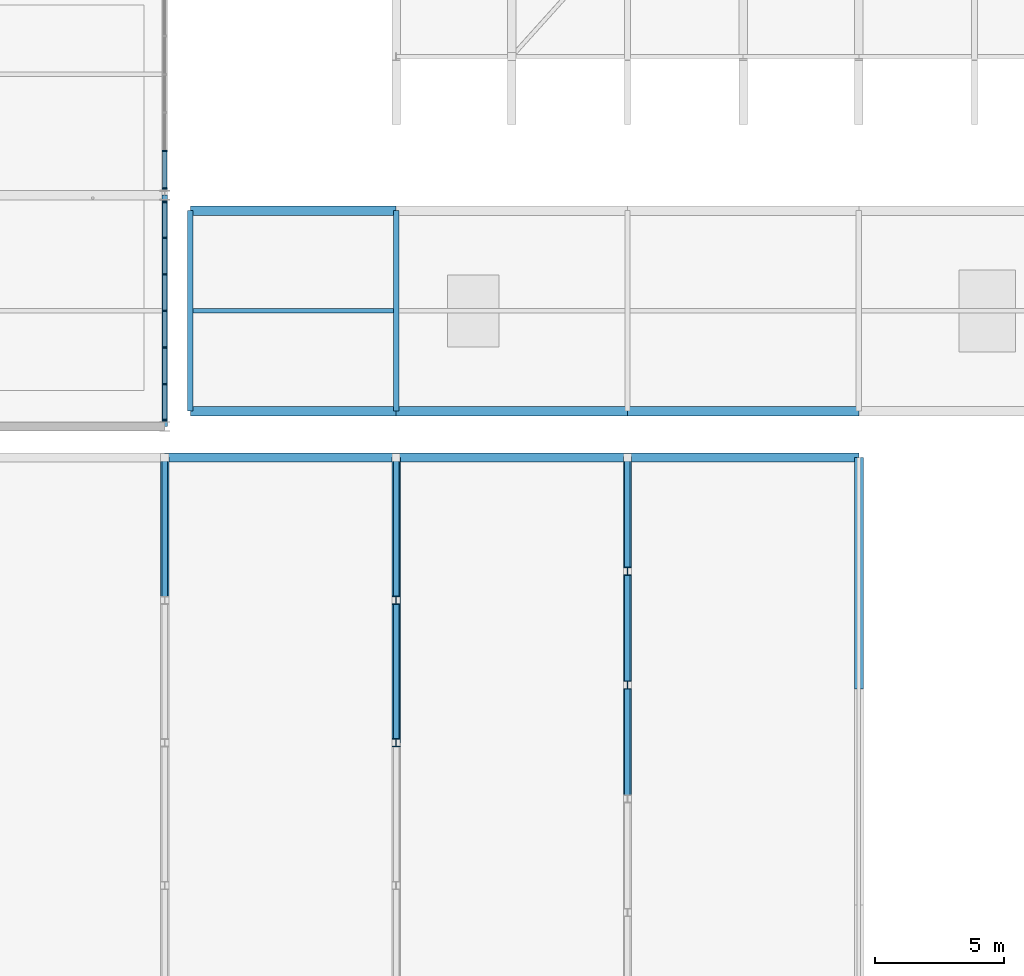
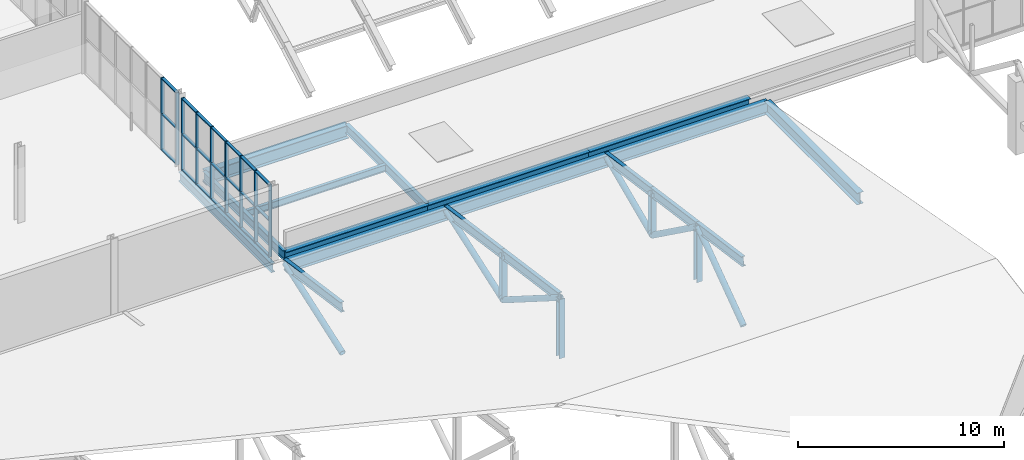
# One storey, part 13 of 103: 46 members, 12 beams, 2 elements without a shape of their own.
"""IFC4 building model written with IfcOpenShell, lengths in metres."""

from ifc_helpers import new_model, si_unit, direction, frame, origin, origin_2d, place, context, subcontext, project, spatial, rectangle, hollow_circle, i_section, extrude, material, layer, layer_set, material_profile, profile_set, type_object, element, aggregate, save


model = new_model("IFC4")

# Units and contexts
model_context = context("Model", 3, precision=1e-05, world=origin(), true_north=direction((0.0, 1.0)))
body_context = subcontext(model_context, "Body", "Model", "MODEL_VIEW")
ifc_project = project(units=[si_unit("LENGTHUNIT", "METRE"), si_unit("AREAUNIT", "SQUARE_METRE"), si_unit("VOLUMEUNIT", "CUBIC_METRE"), si_unit("PLANEANGLEUNIT", "RADIAN"), si_unit("MASSUNIT", "GRAM", prefix="KILO")], contexts=[model_context])

# Site, building, storey
site_placement = place(None, origin())
site = spatial("IfcSite", under=ifc_project, at=site_placement, CompositionType="ELEMENT")
building_placement = place(site_placement, origin())
building = spatial("IfcBuilding", under=site, at=building_placement, Name="Cazmaro Siding Exhibition Halls", CompositionType="ELEMENT")
storey_placement = place(building_placement, frame((0.0, 0.0, 16.5)))
storey = spatial("IfcBuildingStorey", under=building, at=storey_placement, Name="L03", CompositionType="ELEMENT", Elevation=16.5)

# Beams
ifc_material_1 = material(Name="Steel ASTM A992 Grade 50", Category="steel")
ifc_material_profile_1 = material_profile(ifc_material_1, i_section(OverallWidth=0.214111328125, OverallDepth=0.549072265625, WebThickness=0.014892578125, FlangeThickness=0.02392578125, at=origin_2d()), Name="W21X93")
ifc_profile_set_1 = profile_set([ifc_material_profile_1], Name="Steel ASTM A992 Grade 50")
beam_type_1 = type_object("IfcBeamType", Name="B-01", PredefinedType="BEAM", material=ifc_profile_set_1)
beam_1_placement = place(storey_placement, frame((36.0, 54.60009765625, -0.493896484375), z_axis=(0.0, 1.0, 0.0), x_axis=(-1.0, 0.0, 0.0)))
element("IfcBeam", 1, at=beam_1_placement, inside=storey, type_object=beam_type_1, Name="Beam B-01 BM-2270", PredefinedType="BEAM", context=body_context, shape_type="SweptSolid", body=[
    extrude(i_section(OverallWidth=0.214111328125, OverallDepth=0.549072265625, WebThickness=0.014892578125, FlangeThickness=0.02392578125, at=origin_2d()), origin(), (0.0, 0.0, 1.0), 9.0),
])
ifc_material_2 = material(Name="Steel ASTM A992 Grade 50", Category="steel")
ifc_material_profile_2 = material_profile(ifc_material_2, i_section(OverallWidth=0.2099609375, OverallDepth=0.535888671875, WebThickness=0.010986328125, FlangeThickness=0.01708984375, at=origin_2d()), Name="W21X68")
ifc_profile_set_2 = profile_set([ifc_material_profile_2], Name="Steel ASTM A992 Grade 50")
beam_type_2 = type_object("IfcBeamType", Name="B-02", PredefinedType="BEAM", material=ifc_profile_set_2)
for number, where, z_axis, x_axis, name in (
    (2, (37.0, 55.199951171875, -0.443115234375), (0.0, 1.0, 0.0), (-1.0, 0.0, 0.0), "Beam B-02 BM-1686"),
    (3, (45.0, 55.199951171875, -0.443115234375), (0.0, 1.0, 0.0), (-1.0, 0.0, 0.0), "Beam B-02 BM-1689"),
):
    element("IfcBeam", number, at=place(storey_placement, frame(where, z_axis=z_axis, x_axis=x_axis)), inside=storey, type_object=beam_type_2, Name=name, PredefinedType="BEAM", context=body_context, shape_type="SweptSolid", body=[
        extrude(i_section(OverallWidth=0.2099609375, OverallDepth=0.535888671875, WebThickness=0.010986328125, FlangeThickness=0.01708984375, at=origin_2d()), origin(), (0.0, 0.0, 1.0), 7.800048828125),
    ])

# Curtain wall, members
ifc_material_3 = material(Name="Anodized Bronze Aluminum and Solar-Control Low-E Glazing", Category="aluminium")
ifc_layer = layer(ifc_material_3, 0.179931640625)
ifc_layer_set = layer_set([ifc_layer], Name="Anodized Bronze Aluminum and Solar-Control Low-E Glazing")
curtain_wall_type = type_object("IfcCurtainWallType", Name="CWS-01", PredefinedType="USERDEFINED", material=ifc_layer_set)
curtain_wall_1_placement = place(storey_placement, origin())
curtain_wall_1 = element("IfcCurtainWall", 4, at=curtain_wall_1_placement, inside=storey, type_object=curtain_wall_type, Name="Glazed Curtain Wall CWS-01 CW-247", ObjectType="GLAZED CURTAIN WALL", PredefinedType="USERDEFINED")
ifc_material_4 = material(Name="Anodized Bronze Extruded Aluminum", Category="aluminium")
ifc_material_profile_3 = material_profile(ifc_material_4, rectangle(XDim=0.179931640625, YDim=0.06005859375, at=origin_2d()), Name="CWM-01")
ifc_profile_set_3 = profile_set([ifc_material_profile_3], Name="Anodized Bronze Extruded Aluminum")
member_type_1 = type_object("IfcMemberType", Name="CWM-01", PredefinedType="MULLION", material=ifc_profile_set_3)
member_1_placement = place(storey_placement, frame((36.0, 54.863037109375, 0.0), z_axis=(0.0, 0.0, 1.0), x_axis=(-1.0, 0.0, 0.0)))
member_1 = element("IfcMember", 5, at=member_1_placement, type_object=member_type_1, Name="CWS-01 mullion 1", PredefinedType="MULLION", context=body_context, shape_type="SweptSolid", body=[
    extrude(rectangle(XDim=0.179931640625, YDim=0.06005859375, at=origin_2d()), origin(), (0.0, 0.0, 1.0), 4.280029296875),
])
member_2_placement = place(storey_placement, frame((36.0, 56.25537109375, 0.0), z_axis=(0.0, 0.0, 1.0), x_axis=(-1.0, 0.0, 0.0)))
member_2 = element("IfcMember", 6, at=member_2_placement, type_object=member_type_1, Name="CWS-01 mullion 2", PredefinedType="MULLION", context=body_context, shape_type="SweptSolid", body=[
    extrude(rectangle(XDim=0.179931640625, YDim=0.06005859375, at=origin_2d()), origin(), (0.0, 0.0, 1.0), 4.280029296875),
])
member_3_placement = place(storey_placement, frame((36.0, 57.677734375, 0.0), z_axis=(0.0, 0.0, 1.0), x_axis=(-1.0, 0.0, 0.0)))
member_3 = element("IfcMember", 7, at=member_3_placement, type_object=member_type_1, Name="CWS-01 mullion 3", PredefinedType="MULLION", context=body_context, shape_type="SweptSolid", body=[
    extrude(rectangle(XDim=0.179931640625, YDim=0.06005859375, at=origin_2d()), origin(), (0.0, 0.0, 1.0), 4.280029296875),
])
member_4_placement = place(storey_placement, frame((36.0, 59.10009765625, 0.0), z_axis=(0.0, 0.0, 1.0), x_axis=(-1.0, 0.0, 0.0)))
member_4 = element("IfcMember", 8, at=member_4_placement, type_object=member_type_1, Name="CWS-01 mullion 4", PredefinedType="MULLION", context=body_context, shape_type="SweptSolid", body=[
    extrude(rectangle(XDim=0.179931640625, YDim=0.06005859375, at=origin_2d()), origin(), (0.0, 0.0, 1.0), 4.280029296875),
])
member_5_placement = place(storey_placement, frame((36.0, 60.522216796875, 0.0), z_axis=(0.0, 0.0, 1.0), x_axis=(-1.0, 0.0, 0.0)))
member_5 = element("IfcMember", 9, at=member_5_placement, type_object=member_type_1, Name="CWS-01 mullion 5", PredefinedType="MULLION", context=body_context, shape_type="SweptSolid", body=[
    extrude(rectangle(XDim=0.179931640625, YDim=0.06005859375, at=origin_2d()), origin(), (0.0, 0.0, 1.0), 4.280029296875),
])
member_6_placement = place(storey_placement, frame((36.0, 61.944580078125, 0.0), z_axis=(0.0, 0.0, 1.0), x_axis=(-1.0, 0.0, 0.0)))
member_6 = element("IfcMember", 10, at=member_6_placement, type_object=member_type_1, Name="CWS-01 mullion 6", PredefinedType="MULLION", context=body_context, shape_type="SweptSolid", body=[
    extrude(rectangle(XDim=0.179931640625, YDim=0.06005859375, at=origin_2d()), origin(), (0.0, 0.0, 1.0), 4.280029296875),
])
member_7_placement = place(storey_placement, frame((36.0, 63.3369140625, 0.0), z_axis=(0.0, 0.0, 1.0), x_axis=(-1.0, 0.0, 0.0)))
member_7 = element("IfcMember", 11, at=member_7_placement, type_object=member_type_1, Name="CWS-01 mullion 7", PredefinedType="MULLION", context=body_context, shape_type="SweptSolid", body=[
    extrude(rectangle(XDim=0.179931640625, YDim=0.06005859375, at=origin_2d()), origin(), (0.0, 0.0, 1.0), 4.280029296875),
])

curtain_wall_2_placement = place(storey_placement, origin())
curtain_wall_2 = element("IfcCurtainWall", 12, at=curtain_wall_2_placement, inside=storey, type_object=curtain_wall_type, Name="Glazed Curtain Wall CWS-01 CW-249", ObjectType="GLAZED CURTAIN WALL", PredefinedType="USERDEFINED")
member_8_placement = place(storey_placement, frame((36.0, 63.863037109375, 0.0), z_axis=(0.0, 0.0, 1.0), x_axis=(-1.0, 0.0, 0.0)))
member_8 = element("IfcMember", 13, at=member_8_placement, type_object=member_type_1, Name="CWS-01 mullion 1", PredefinedType="MULLION", context=body_context, shape_type="SweptSolid", body=[
    extrude(rectangle(XDim=0.179931640625, YDim=0.06005859375, at=origin_2d()), origin(), (0.0, 0.0, 1.0), 4.280029296875),
])
member_9_placement = place(storey_placement, frame((36.0, 65.322021484375, 0.0), z_axis=(0.0, 0.0, 1.0), x_axis=(-1.0, 0.0, 0.0)))
member_9 = element("IfcMember", 14, at=member_9_placement, type_object=member_type_1, Name="CWS-01 mullion 2", PredefinedType="MULLION", context=body_context, shape_type="SweptSolid", body=[
    extrude(rectangle(XDim=0.179931640625, YDim=0.06005859375, at=origin_2d()), origin(), (0.0, 0.0, 1.0), 4.280029296875),
])

# Member
ifc_material_5 = material(Name="Anodized Bronze Extruded Aluminum", Category="aluminium")
ifc_material_profile_4 = material_profile(ifc_material_5, rectangle(XDim=0.159912109375, YDim=0.06005859375, at=origin_2d()), Name="CWT-01")
ifc_profile_set_4 = profile_set([ifc_material_profile_4], Name="Anodized Bronze Extruded Aluminum")
member_type_2 = type_object("IfcMemberType", Name="CWT-01", PredefinedType="MULLION", material=ifc_profile_set_4)
member_10_placement = place(storey_placement, frame((36.0, 54.89306640625, 0.030029296875), z_axis=(0.0, 1.0, 0.0), x_axis=(-1.0, 0.0, 0.0)))
member_10 = element("IfcMember", 15, at=member_10_placement, type_object=member_type_2, Name="CWS-01 transom 1.1", ObjectType="TRANSOM", PredefinedType="USERDEFINED", context=body_context, shape_type="SweptSolid", body=[
    extrude(rectangle(XDim=0.159912109375, YDim=0.06005859375, at=origin_2d()), origin(), (0.0, 0.0, 1.0), 1.332275390625),
])

member_11_placement = place(storey_placement, frame((36.0, 54.89306640625, 2.139892578125), z_axis=(0.0, 1.0, 0.0), x_axis=(-1.0, 0.0, 0.0)))
member_11 = element("IfcMember", 16, at=member_11_placement, type_object=member_type_2, Name="CWS-01 transom 1.2", ObjectType="TRANSOM", PredefinedType="USERDEFINED", context=body_context, shape_type="SweptSolid", body=[
    extrude(rectangle(XDim=0.159912109375, YDim=0.06005859375, at=origin_2d()), origin(), (0.0, 0.0, 1.0), 1.332275390625),
])

member_12_placement = place(storey_placement, frame((36.0, 54.89306640625, 4.25), z_axis=(0.0, 1.0, 0.0), x_axis=(-1.0, 0.0, 0.0)))
member_12 = element("IfcMember", 17, at=member_12_placement, type_object=member_type_2, Name="CWS-01 transom 1.3", ObjectType="TRANSOM", PredefinedType="USERDEFINED", context=body_context, shape_type="SweptSolid", body=[
    extrude(rectangle(XDim=0.159912109375, YDim=0.06005859375, at=origin_2d()), origin(), (0.0, 0.0, 1.0), 1.332275390625),
])

member_13_placement = place(storey_placement, frame((36.0, 56.285400390625, 0.030029296875), z_axis=(0.0, 1.0, 0.0), x_axis=(-1.0, 0.0, 0.0)))
member_13 = element("IfcMember", 18, at=member_13_placement, type_object=member_type_2, Name="CWS-01 transom 2.1", ObjectType="TRANSOM", PredefinedType="USERDEFINED", context=body_context, shape_type="SweptSolid", body=[
    extrude(rectangle(XDim=0.159912109375, YDim=0.06005859375, at=origin_2d()), origin(), (0.0, 0.0, 1.0), 1.3623046875),
])

member_14_placement = place(storey_placement, frame((36.0, 56.285400390625, 2.139892578125), z_axis=(0.0, 1.0, 0.0), x_axis=(-1.0, 0.0, 0.0)))
member_14 = element("IfcMember", 19, at=member_14_placement, type_object=member_type_2, Name="CWS-01 transom 2.2", ObjectType="TRANSOM", PredefinedType="USERDEFINED", context=body_context, shape_type="SweptSolid", body=[
    extrude(rectangle(XDim=0.159912109375, YDim=0.06005859375, at=origin_2d()), origin(), (0.0, 0.0, 1.0), 1.3623046875),
])

member_15_placement = place(storey_placement, frame((36.0, 56.285400390625, 4.25), z_axis=(0.0, 1.0, 0.0), x_axis=(-1.0, 0.0, 0.0)))
member_15 = element("IfcMember", 20, at=member_15_placement, type_object=member_type_2, Name="CWS-01 transom 2.3", ObjectType="TRANSOM", PredefinedType="USERDEFINED", context=body_context, shape_type="SweptSolid", body=[
    extrude(rectangle(XDim=0.159912109375, YDim=0.06005859375, at=origin_2d()), origin(), (0.0, 0.0, 1.0), 1.3623046875),
])

member_16_placement = place(storey_placement, frame((36.0, 57.707763671875, 0.030029296875), z_axis=(0.0, 1.0, 0.0), x_axis=(-1.0, 0.0, 0.0)))
member_16 = element("IfcMember", 21, at=member_16_placement, type_object=member_type_2, Name="CWS-01 transom 3.1", ObjectType="TRANSOM", PredefinedType="USERDEFINED", context=body_context, shape_type="SweptSolid", body=[
    extrude(rectangle(XDim=0.159912109375, YDim=0.06005859375, at=origin_2d()), origin(), (0.0, 0.0, 1.0), 1.3623046875),
])

member_17_placement = place(storey_placement, frame((36.0, 57.707763671875, 2.139892578125), z_axis=(0.0, 1.0, 0.0), x_axis=(-1.0, 0.0, 0.0)))
member_17 = element("IfcMember", 22, at=member_17_placement, type_object=member_type_2, Name="CWS-01 transom 3.2", ObjectType="TRANSOM", PredefinedType="USERDEFINED", context=body_context, shape_type="SweptSolid", body=[
    extrude(rectangle(XDim=0.159912109375, YDim=0.06005859375, at=origin_2d()), origin(), (0.0, 0.0, 1.0), 1.3623046875),
])

member_18_placement = place(storey_placement, frame((36.0, 57.707763671875, 4.25), z_axis=(0.0, 1.0, 0.0), x_axis=(-1.0, 0.0, 0.0)))
member_18 = element("IfcMember", 23, at=member_18_placement, type_object=member_type_2, Name="CWS-01 transom 3.3", ObjectType="TRANSOM", PredefinedType="USERDEFINED", context=body_context, shape_type="SweptSolid", body=[
    extrude(rectangle(XDim=0.159912109375, YDim=0.06005859375, at=origin_2d()), origin(), (0.0, 0.0, 1.0), 1.3623046875),
])

member_19_placement = place(storey_placement, frame((36.0, 59.1298828125, 0.030029296875), z_axis=(0.0, 1.0, 0.0), x_axis=(-1.0, 0.0, 0.0)))
member_19 = element("IfcMember", 24, at=member_19_placement, type_object=member_type_2, Name="CWS-01 transom 4.1", ObjectType="TRANSOM", PredefinedType="USERDEFINED", context=body_context, shape_type="SweptSolid", body=[
    extrude(rectangle(XDim=0.159912109375, YDim=0.06005859375, at=origin_2d()), origin(), (0.0, 0.0, 1.0), 1.362548828125),
])

member_20_placement = place(storey_placement, frame((36.0, 59.1298828125, 2.139892578125), z_axis=(0.0, 1.0, 0.0), x_axis=(-1.0, 0.0, 0.0)))
member_20 = element("IfcMember", 25, at=member_20_placement, type_object=member_type_2, Name="CWS-01 transom 4.2", ObjectType="TRANSOM", PredefinedType="USERDEFINED", context=body_context, shape_type="SweptSolid", body=[
    extrude(rectangle(XDim=0.159912109375, YDim=0.06005859375, at=origin_2d()), origin(), (0.0, 0.0, 1.0), 1.362548828125),
])

member_21_placement = place(storey_placement, frame((36.0, 59.1298828125, 4.25), z_axis=(0.0, 1.0, 0.0), x_axis=(-1.0, 0.0, 0.0)))
member_21 = element("IfcMember", 26, at=member_21_placement, type_object=member_type_2, Name="CWS-01 transom 4.3", ObjectType="TRANSOM", PredefinedType="USERDEFINED", context=body_context, shape_type="SweptSolid", body=[
    extrude(rectangle(XDim=0.159912109375, YDim=0.06005859375, at=origin_2d()), origin(), (0.0, 0.0, 1.0), 1.362548828125),
])

member_22_placement = place(storey_placement, frame((36.0, 60.55224609375, 0.030029296875), z_axis=(0.0, 1.0, 0.0), x_axis=(-1.0, 0.0, 0.0)))
member_22 = element("IfcMember", 27, at=member_22_placement, type_object=member_type_2, Name="CWS-01 transom 5.1", ObjectType="TRANSOM", PredefinedType="USERDEFINED", context=body_context, shape_type="SweptSolid", body=[
    extrude(rectangle(XDim=0.159912109375, YDim=0.06005859375, at=origin_2d()), origin(), (0.0, 0.0, 1.0), 1.3623046875),
])

member_23_placement = place(storey_placement, frame((36.0, 60.55224609375, 2.139892578125), z_axis=(0.0, 1.0, 0.0), x_axis=(-1.0, 0.0, 0.0)))
member_23 = element("IfcMember", 28, at=member_23_placement, type_object=member_type_2, Name="CWS-01 transom 5.2", ObjectType="TRANSOM", PredefinedType="USERDEFINED", context=body_context, shape_type="SweptSolid", body=[
    extrude(rectangle(XDim=0.159912109375, YDim=0.06005859375, at=origin_2d()), origin(), (0.0, 0.0, 1.0), 1.3623046875),
])

member_24_placement = place(storey_placement, frame((36.0, 60.55224609375, 4.25), z_axis=(0.0, 1.0, 0.0), x_axis=(-1.0, 0.0, 0.0)))
member_24 = element("IfcMember", 29, at=member_24_placement, type_object=member_type_2, Name="CWS-01 transom 5.3", ObjectType="TRANSOM", PredefinedType="USERDEFINED", context=body_context, shape_type="SweptSolid", body=[
    extrude(rectangle(XDim=0.159912109375, YDim=0.06005859375, at=origin_2d()), origin(), (0.0, 0.0, 1.0), 1.3623046875),
])

member_25_placement = place(storey_placement, frame((36.0, 61.974609375, 0.030029296875), z_axis=(0.0, 1.0, 0.0), x_axis=(-1.0, 0.0, 0.0)))
member_25 = element("IfcMember", 30, at=member_25_placement, type_object=member_type_2, Name="CWS-01 transom 6.1", ObjectType="TRANSOM", PredefinedType="USERDEFINED", context=body_context, shape_type="SweptSolid", body=[
    extrude(rectangle(XDim=0.159912109375, YDim=0.06005859375, at=origin_2d()), origin(), (0.0, 0.0, 1.0), 1.332275390625),
])

member_26_placement = place(storey_placement, frame((36.0, 61.974609375, 2.139892578125), z_axis=(0.0, 1.0, 0.0), x_axis=(-1.0, 0.0, 0.0)))
member_26 = element("IfcMember", 31, at=member_26_placement, type_object=member_type_2, Name="CWS-01 transom 6.2", ObjectType="TRANSOM", PredefinedType="USERDEFINED", context=body_context, shape_type="SweptSolid", body=[
    extrude(rectangle(XDim=0.159912109375, YDim=0.06005859375, at=origin_2d()), origin(), (0.0, 0.0, 1.0), 1.332275390625),
])

member_27_placement = place(storey_placement, frame((36.0, 61.974609375, 4.25), z_axis=(0.0, 1.0, 0.0), x_axis=(-1.0, 0.0, 0.0)))
member_27 = element("IfcMember", 32, at=member_27_placement, type_object=member_type_2, Name="CWS-01 transom 6.3", ObjectType="TRANSOM", PredefinedType="USERDEFINED", context=body_context, shape_type="SweptSolid", body=[
    extrude(rectangle(XDim=0.159912109375, YDim=0.06005859375, at=origin_2d()), origin(), (0.0, 0.0, 1.0), 1.332275390625),
])

aggregate(curtain_wall_1, [member_1, member_2, member_3, member_4, member_5, member_6, member_7, member_10, member_11, member_12, member_13, member_14, member_15, member_16, member_17, member_18, member_19, member_20, member_21, member_22, member_23, member_24, member_25, member_26, member_27])

member_28_placement = place(storey_placement, frame((36.0, 63.89306640625, 0.030029296875), z_axis=(0.0, 1.0, 0.0), x_axis=(-1.0, 0.0, 0.0)))
member_28 = element("IfcMember", 33, at=member_28_placement, type_object=member_type_2, Name="CWS-01 transom 1.1", ObjectType="TRANSOM", PredefinedType="USERDEFINED", context=body_context, shape_type="SweptSolid", body=[
    extrude(rectangle(XDim=0.159912109375, YDim=0.06005859375, at=origin_2d()), origin(), (0.0, 0.0, 1.0), 1.39892578125),
])

member_29_placement = place(storey_placement, frame((36.0, 63.89306640625, 2.139892578125), z_axis=(0.0, 1.0, 0.0), x_axis=(-1.0, 0.0, 0.0)))
member_29 = element("IfcMember", 34, at=member_29_placement, type_object=member_type_2, Name="CWS-01 transom 1.2", ObjectType="TRANSOM", PredefinedType="USERDEFINED", context=body_context, shape_type="SweptSolid", body=[
    extrude(rectangle(XDim=0.159912109375, YDim=0.06005859375, at=origin_2d()), origin(), (0.0, 0.0, 1.0), 1.39892578125),
])

member_30_placement = place(storey_placement, frame((36.0, 63.89306640625, 4.25), z_axis=(0.0, 1.0, 0.0), x_axis=(-1.0, 0.0, 0.0)))
member_30 = element("IfcMember", 35, at=member_30_placement, type_object=member_type_2, Name="CWS-01 transom 1.3", ObjectType="TRANSOM", PredefinedType="USERDEFINED", context=body_context, shape_type="SweptSolid", body=[
    extrude(rectangle(XDim=0.159912109375, YDim=0.06005859375, at=origin_2d()), origin(), (0.0, 0.0, 1.0), 1.39892578125),
])

aggregate(curtain_wall_2, [member_8, member_9, member_28, member_29, member_30])

# Beams
ifc_material_6 = material(Name="Steel ASTM A992 Grade 50", Category="steel")
ifc_material_profile_5 = material_profile(ifc_material_6, i_section(OverallWidth=0.381103515625, OverallDepth=0.779052734375, WebThickness=0.01806640625, FlangeThickness=0.030029296875, at=origin_2d()), Name="W30X191")
ifc_profile_set_5 = profile_set([ifc_material_profile_5], Name="Steel ASTM A992 Grade 50")
beam_type_3 = type_object("IfcBeamType", Name="G-04", PredefinedType="USERDEFINED", material=ifc_profile_set_5)
for number, where, z_axis, x_axis, name in (
    (36, (37.0, 55.199951171875, -0.56494140625), (1.0, 0.0, 0.0), (0.0, 1.0, 0.0), "Beam G-04 BM-1573"),
    (37, (37.0, 63.0, -0.56494140625), (1.0, 0.0, 0.0), (0.0, 1.0, 0.0), "Beam G-04 BM-1574"),
):
    element("IfcBeam", number, at=place(storey_placement, frame(where, z_axis=z_axis, x_axis=x_axis)), inside=storey, type_object=beam_type_3, Name=name, ObjectType="GIRDER", PredefinedType="USERDEFINED", context=body_context, shape_type="SweptSolid", body=[
        extrude(i_section(OverallWidth=0.381103515625, OverallDepth=0.779052734375, WebThickness=0.01806640625, FlangeThickness=0.030029296875, at=origin_2d()), origin(), (0.0, 0.0, 1.0), 8.0),
    ])
for number, where, z_axis, x_axis, name in (
    (38, (45.0, 55.199951171875, -0.56494140625), (1.0, 0.0, 0.0), (0.0, 1.0, 0.0), "Beam G-04 BM-1582"),
    (39, (54.0, 55.199951171875, -0.56494140625), (1.0, 0.0, 0.0), (0.0, 1.0, 0.0), "Beam G-04 BM-1589"),
):
    element("IfcBeam", number, at=place(storey_placement, frame(where, z_axis=z_axis, x_axis=x_axis)), inside=storey, type_object=beam_type_3, Name=name, ObjectType="GIRDER", PredefinedType="USERDEFINED", context=body_context, shape_type="SweptSolid", body=[
        extrude(i_section(OverallWidth=0.381103515625, OverallDepth=0.779052734375, WebThickness=0.01806640625, FlangeThickness=0.030029296875, at=origin_2d()), origin(), (0.0, 0.0, 1.0), 9.0),
    ])
ifc_material_7 = material(Name="Steel ASTM A992 Grade 50", Category="steel")
ifc_material_profile_6 = material_profile(ifc_material_7, i_section(OverallWidth=0.35595703125, OverallDepth=0.696044921875, WebThickness=0.014892578125, FlangeThickness=0.02490234375, at=origin_2d()), Name="W27X146")
ifc_profile_set_6 = profile_set([ifc_material_profile_6], Name="Steel ASTM A992 Grade 50")
beam_type_4 = type_object("IfcBeamType", Name="G-05", PredefinedType="USERDEFINED", material=ifc_profile_set_6)
for number, where, z_axis, x_axis, name in (
    (40, (63.0, 44.39990234375, 0.35205078125), (0.0, 1.0, 0.0), (-1.0, 0.0, 0.0), "Beam G-05 BM-1747"),
    (41, (63.0, 53.39990234375, 0.35205078125), (-1.0, 0.0, 0.0), (0.0, -1.0, 0.0), "Beam G-05 BM-1749"),
    (42, (54.0, 53.39990234375, 0.35205078125), (-1.0, 0.0, 0.0), (0.0, -1.0, 0.0), "Beam G-05 BM-1751"),
    (43, (45.0, 53.39990234375, 0.35205078125), (-1.0, 0.0, 0.0), (0.0, -1.0, 0.0), "Beam G-05 BM-1753"),
):
    element("IfcBeam", number, at=place(storey_placement, frame(where, z_axis=z_axis, x_axis=x_axis)), inside=storey, type_object=beam_type_4, Name=name, ObjectType="GIRDER", PredefinedType="USERDEFINED", context=body_context, shape_type="SweptSolid", body=[
        extrude(i_section(OverallWidth=0.35595703125, OverallDepth=0.696044921875, WebThickness=0.014892578125, FlangeThickness=0.02490234375, at=origin_2d()), origin(), (0.0, 0.0, 1.0), 9.0),
    ])
ifc_material_8 = material(Name="Steel ASTM A992 Grade 50", Category="steel")
ifc_material_profile_7 = material_profile(ifc_material_8, i_section(OverallWidth=0.177978515625, OverallDepth=0.406005859375, WebThickness=0.008056640625, FlangeThickness=0.012939453125, at=origin_2d()), Name="W16X40")
ifc_profile_set_7 = profile_set([ifc_material_profile_7], Name="Steel ASTM A992 Grade 50")
beam_type_5 = type_object("IfcBeamType", Name="J-02", PredefinedType="JOIST", material=ifc_profile_set_7)
beam_2_placement = place(storey_placement, frame((37.10498046875, 59.10009765625, -0.3779296875), z_axis=(1.0, 0.0, 0.0), x_axis=(0.0, 1.0, 0.0)))
element("IfcBeam", 44, at=beam_2_placement, inside=storey, type_object=beam_type_5, Name="Beam J-02 BM-1575", PredefinedType="JOIST", context=body_context, shape_type="SweptSolid", body=[
    extrude(i_section(OverallWidth=0.177978515625, OverallDepth=0.406005859375, WebThickness=0.008056640625, FlangeThickness=0.012939453125, at=origin_2d()), origin(), (0.0, 0.0, 1.0), 7.7900390625),
])

# Members
ifc_material_9 = material(Name="Steel ASTM A992 Grade 50", Category="steel")
ifc_material_profile_8 = material_profile(ifc_material_9, i_section(OverallWidth=0.214111328125, OverallDepth=0.549072265625, WebThickness=0.014892578125, FlangeThickness=0.02392578125, at=origin_2d()), Name="W21X93")
ifc_profile_set_8 = profile_set([ifc_material_profile_8], Name="Steel ASTM A992 Grade 50")
member_type_3 = type_object("IfcMemberType", Name="TC-04", PredefinedType="CHORD", material=ifc_profile_set_8)
member_31_placement = place(storey_placement, frame((36.0, 47.85009765625, 1.280029296875), z_axis=(0.0, 0.990266713375, -0.139182744555), x_axis=(-1.0, 0.0, 0.0)))
element("IfcMember", 45, at=member_31_placement, inside=storey, type_object=member_type_3, Name="Congress folded roof top chord TC-04 MEM-3358", PredefinedType="CHORD", context=body_context, shape_type="SweptSolid", body=[
    extrude(i_section(OverallWidth=0.214111328125, OverallDepth=0.549072265625, WebThickness=0.014892578125, FlangeThickness=0.02392578125, at=origin_2d()), origin(), (0.0, 0.0, 1.0), 5.604248046875),
])
member_32_placement = place(storey_placement, frame((45.0, 42.300048828125, 2.06005859375), z_axis=(0.0, 0.990267557209, -0.139176740654), x_axis=(-1.0, 0.0, 0.0)))
element("IfcMember", 46, at=member_32_placement, inside=storey, type_object=member_type_3, Name="Congress folded roof top chord TC-04 MEM-3386", PredefinedType="CHORD", context=body_context, shape_type="SweptSolid", body=[
    extrude(i_section(OverallWidth=0.214111328125, OverallDepth=0.549072265625, WebThickness=0.014892578125, FlangeThickness=0.02392578125, at=origin_2d()), origin(), (0.0, 0.0, 1.0), 5.6044921875),
])
member_33_placement = place(storey_placement, frame((45.0, 47.85009765625, 1.280029296875), z_axis=(0.0, 0.990266713375, -0.139182744555), x_axis=(-1.0, 0.0, 0.0)))
element("IfcMember", 47, at=member_33_placement, inside=storey, type_object=member_type_3, Name="Congress folded roof top chord TC-04 MEM-3389", PredefinedType="CHORD", context=body_context, shape_type="SweptSolid", body=[
    extrude(i_section(OverallWidth=0.214111328125, OverallDepth=0.549072265625, WebThickness=0.014892578125, FlangeThickness=0.02392578125, at=origin_2d()), origin(), (0.0, 0.0, 1.0), 5.604248046875),
])
for number, where, z_axis, x_axis, name in (
    (48, (54.0, 40.125, 2.365966796875), (0.0, 0.990262817008, -0.139210463875), (-1.0, 0.0, 0.0), "Congress folded roof top chord TC-04 MEM-3414"),
    (49, (54.0, 44.550048828125, 1.743896484375), (0.0, 0.990270347347, -0.13915688688), (-1.0, 0.0, 0.0), "Congress folded roof top chord TC-04 MEM-3417"),
):
    element("IfcMember", number, at=place(storey_placement, frame(where, z_axis=z_axis, x_axis=x_axis)), inside=storey, type_object=member_type_3, Name=name, PredefinedType="CHORD", context=body_context, shape_type="SweptSolid", body=[
        extrude(i_section(OverallWidth=0.214111328125, OverallDepth=0.549072265625, WebThickness=0.014892578125, FlangeThickness=0.02392578125, at=origin_2d()), origin(), (0.0, 0.0, 1.0), 4.468505859375),
    ])
member_34_placement = place(storey_placement, frame((54.0, 48.97509765625, 1.1220703125), z_axis=(0.0, 0.990261758116, -0.13921799601), x_axis=(-1.0, 0.0, 0.0)))
element("IfcMember", 50, at=member_34_placement, inside=storey, type_object=member_type_3, Name="Congress folded roof top chord TC-04 MEM-3420", PredefinedType="CHORD", context=body_context, shape_type="SweptSolid", body=[
    extrude(i_section(OverallWidth=0.214111328125, OverallDepth=0.549072265625, WebThickness=0.014892578125, FlangeThickness=0.02392578125, at=origin_2d()), origin(), (0.0, 0.0, 1.0), 4.46826171875),
])
ifc_material_10 = material(Name="Steel ASTM A992 Grade 50", Category="steel")
ifc_material_profile_9 = material_profile(ifc_material_10, i_section(OverallWidth=0.304931640625, OverallDepth=0.306884765625, WebThickness=0.010009765625, FlangeThickness=0.014892578125, at=origin_2d()), Name="W12X65")
ifc_profile_set_9 = profile_set([ifc_material_profile_9], Name="Steel ASTM A992 Grade 50")
member_type_4 = type_object("IfcMemberType", Name="TP-03", PredefinedType="POST", material=ifc_profile_set_9)
member_35_placement = place(storey_placement, frame((45.0, 42.300048828125, -1.449951171875), z_axis=(0.0, 0.0, 1.0), x_axis=(1.0, 0.0, 0.0)))
element("IfcMember", 51, at=member_35_placement, inside=storey, type_object=member_type_4, Name="Congress roof post TP-03 MEM-3397", PredefinedType="POST", context=body_context, shape_type="SweptSolid", body=[
    extrude(i_section(OverallWidth=0.304931640625, OverallDepth=0.306884765625, WebThickness=0.010009765625, FlangeThickness=0.014892578125, at=origin_2d()), origin(), (0.0, 0.0, 1.0), 3.510009765625),
])
member_36_placement = place(storey_placement, frame((45.0, 47.85009765625, -1.449951171875), z_axis=(0.0, 0.0, 1.0), x_axis=(1.0, 0.0, 0.0)))
element("IfcMember", 52, at=member_36_placement, inside=storey, type_object=member_type_4, Name="Congress roof post TP-03 MEM-3398", PredefinedType="POST", context=body_context, shape_type="SweptSolid", body=[
    extrude(i_section(OverallWidth=0.304931640625, OverallDepth=0.306884765625, WebThickness=0.010009765625, FlangeThickness=0.014892578125, at=origin_2d()), origin(), (0.0, 0.0, 1.0), 2.72998046875),
])
member_37_placement = place(storey_placement, frame((54.0, 44.550048828125, -1.449951171875), z_axis=(0.0, 0.0, 1.0), x_axis=(1.0, 0.0, 0.0)))
element("IfcMember", 53, at=member_37_placement, inside=storey, type_object=member_type_4, Name="Congress roof post TP-03 MEM-3428", PredefinedType="POST", context=body_context, shape_type="SweptSolid", body=[
    extrude(i_section(OverallWidth=0.304931640625, OverallDepth=0.306884765625, WebThickness=0.010009765625, FlangeThickness=0.014892578125, at=origin_2d()), origin(), (0.0, 0.0, 1.0), 3.19384765625),
])
member_38_placement = place(storey_placement, frame((54.0, 48.97509765625, -1.449951171875), z_axis=(0.0, 0.0, 1.0), x_axis=(1.0, 0.0, 0.0)))
element("IfcMember", 54, at=member_38_placement, inside=storey, type_object=member_type_4, Name="Congress roof post TP-03 MEM-3429", PredefinedType="POST", context=body_context, shape_type="SweptSolid", body=[
    extrude(i_section(OverallWidth=0.304931640625, OverallDepth=0.306884765625, WebThickness=0.010009765625, FlangeThickness=0.014892578125, at=origin_2d()), origin(), (0.0, 0.0, 1.0), 2.572021484375),
])
ifc_material_11 = material(Name="Steel ASTM A500 Grade C", Category="steel")
ifc_material_profile_10 = material_profile(ifc_material_11, hollow_circle(Radius=0.162109375, WallThickness=0.012939453125, at=origin_2d()), Name="PIPE12XS")
ifc_profile_set_10 = profile_set([ifc_material_profile_10], Name="Steel ASTM A500 Grade C")
member_type_5 = type_object("IfcMemberType", Name="WB-03", PredefinedType="BRACE", material=ifc_profile_set_10)
member_39_placement = place(storey_placement, frame((36.0, 47.85009765625, -1.449951171875), z_axis=(0.0, 0.943459087215, 0.331488990392), x_axis=(-1.0, 0.0, 0.0)))
element("IfcMember", 55, at=member_39_placement, inside=storey, type_object=member_type_5, Name="Congress roof diagonal WB-03 MEM-3360", PredefinedType="BRACE", context=body_context, shape_type="SweptSolid", body=[
    extrude(hollow_circle(Radius=0.162109375, WallThickness=0.012939453125, at=origin_2d()), origin(), (0.0, 0.0, 1.0), 5.88232421875),
])
member_40_placement = place(storey_placement, frame((45.0, 42.300048828125, 2.06005859375), z_axis=(0.0, 0.845164526711, -0.53450624205), x_axis=(-1.0, 0.0, 0.0)))
element("IfcMember", 56, at=member_40_placement, inside=storey, type_object=member_type_5, Name="Congress roof diagonal WB-03 MEM-3388", PredefinedType="BRACE", context=body_context, shape_type="SweptSolid", body=[
    extrude(hollow_circle(Radius=0.162109375, WallThickness=0.012939453125, at=origin_2d()), origin(), (0.0, 0.0, 1.0), 6.56689453125),
])
member_41_placement = place(storey_placement, frame((45.0, 47.85009765625, -1.449951171875), z_axis=(0.0, 0.943459087215, 0.331488990392), x_axis=(-1.0, 0.0, 0.0)))
element("IfcMember", 57, at=member_41_placement, inside=storey, type_object=member_type_5, Name="Congress roof diagonal WB-03 MEM-3391", PredefinedType="BRACE", context=body_context, shape_type="SweptSolid", body=[
    extrude(hollow_circle(Radius=0.162109375, WallThickness=0.012939453125, at=origin_2d()), origin(), (0.0, 0.0, 1.0), 5.88232421875),
])
for number, where, z_axis, x_axis, name in (
    (58, (54.0, 40.125, -1.449951171875), (0.0, 0.810854963128, 0.58524715187), (-1.0, 0.0, 0.0), "Congress roof diagonal WB-03 MEM-3416"),
    (59, (54.0, 44.550048828125, 1.743896484375), (0.0, 0.810854963128, -0.58524715187), (-1.0, 0.0, 0.0), "Congress roof diagonal WB-03 MEM-3419"),
):
    element("IfcMember", number, at=place(storey_placement, frame(where, z_axis=z_axis, x_axis=x_axis)), inside=storey, type_object=member_type_5, Name=name, PredefinedType="BRACE", context=body_context, shape_type="SweptSolid", body=[
        extrude(hollow_circle(Radius=0.162109375, WallThickness=0.012939453125, at=origin_2d()), origin(), (0.0, 0.0, 1.0), 5.457275390625),
    ])
member_42_placement = place(storey_placement, frame((54.0, 48.97509765625, -1.449951171875), z_axis=(0.0, 0.915083343923, 0.4032647687), x_axis=(-1.0, 0.0, 0.0)))
element("IfcMember", 60, at=member_42_placement, inside=storey, type_object=member_type_5, Name="Congress roof diagonal WB-03 MEM-3422", PredefinedType="BRACE", context=body_context, shape_type="SweptSolid", body=[
    extrude(hollow_circle(Radius=0.162109375, WallThickness=0.012939453125, at=origin_2d()), origin(), (0.0, 0.0, 1.0), 4.83544921875),
])

save(model, "model.ifc")
